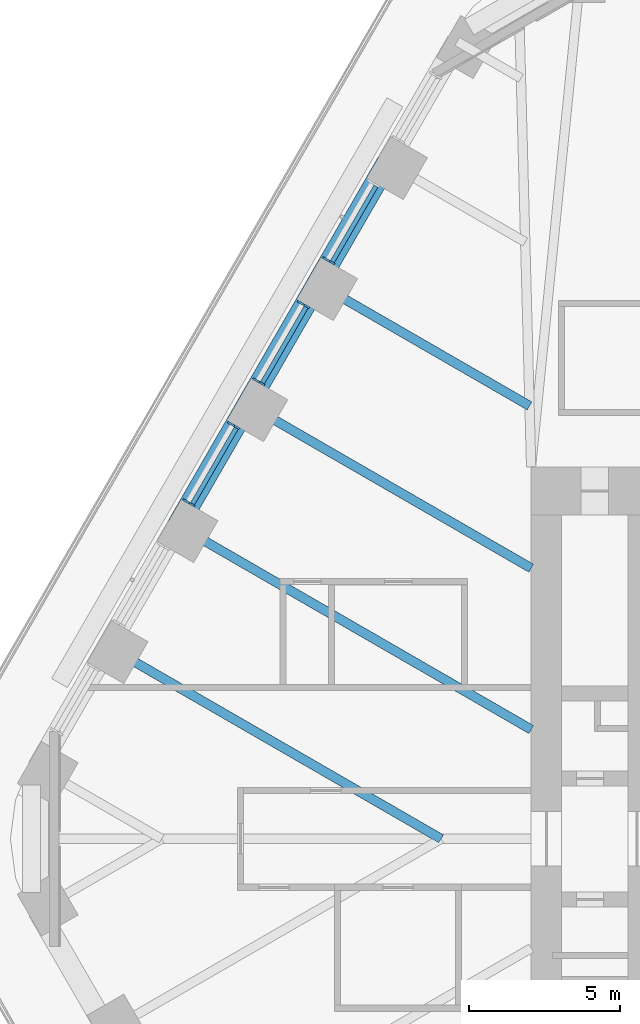
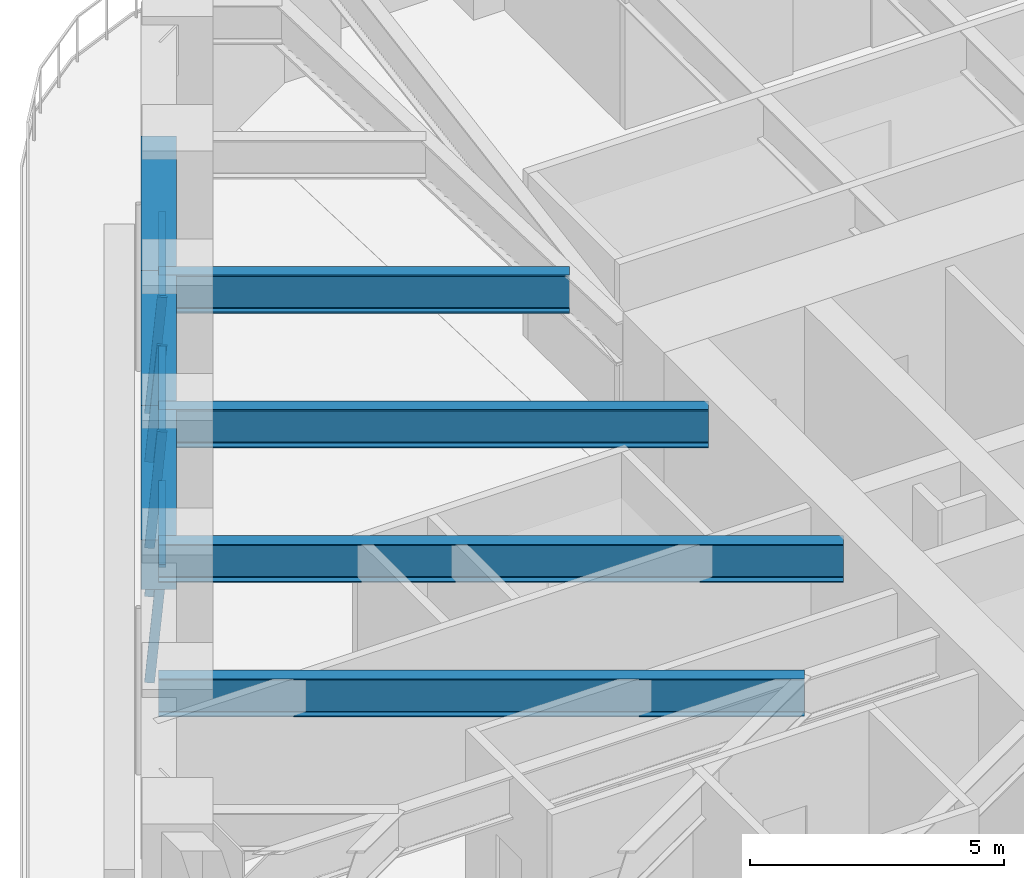
# One storey, part 7 of 20: 8 members, 7 beams, 3 elements without a shape of their own.
"""IFC4 building model written with IfcOpenShell, lengths in metres."""

from ifc_helpers import new_model, si_unit, direction, frame, origin, origin_2d, place, context, subcontext, project, spatial, rectangle, i_section, extrude, material, material_profile, profile_set, type_object, element, aggregate, save


model = new_model("IFC4")

# Units and contexts
model_context = context("Model", 3, precision=1e-05, world=origin(), true_north=direction((0.0, 1.0)))
body_context = subcontext(model_context, "Body", "Model", "MODEL_VIEW")
ifc_project = project(units=[si_unit("LENGTHUNIT", "METRE"), si_unit("AREAUNIT", "SQUARE_METRE"), si_unit("VOLUMEUNIT", "CUBIC_METRE"), si_unit("PLANEANGLEUNIT", "RADIAN"), si_unit("MASSUNIT", "GRAM", prefix="KILO")], contexts=[model_context])

# Site, building, storey
site_placement = place(None, origin())
site = spatial("IfcSite", under=ifc_project, at=site_placement, CompositionType="ELEMENT")
building_placement = place(site_placement, origin())
building = spatial("IfcBuilding", under=site, at=building_placement, Name="Tarfa Lantern Tower", CompositionType="ELEMENT")
storey_placement = place(building_placement, frame((0.0, 0.0, 232.300048828125)))
storey = spatial("IfcBuildingStorey", under=building, at=storey_placement, Name="L52", CompositionType="ELEMENT", Elevation=232.300048828125)

# Curtain wall, member
ifc_material_1 = material(Name="Aluminium framed curtain wall", Category="aluminium")
curtain_wall_type = type_object("IfcCurtainWallType", Name="CW3 CANTED GLAZING HIGH ZONE 2800", PredefinedType="USERDEFINED", material=ifc_material_1)
curtain_wall_1_placement = place(storey_placement, origin())
curtain_wall_1 = element("IfcCurtainWall", 1, at=curtain_wall_1_placement, inside=storey, type_object=curtain_wall_type, Name="CW3 NW L52", ObjectType="CURTAIN WALL", PredefinedType="USERDEFINED")
ifc_material_2 = material(Name="Aluminium mullion", Category="aluminium")
ifc_material_profile_1 = material_profile(ifc_material_2, rectangle(XDim=0.06494140625, YDim=0.199951171875, at=origin_2d()), Name="AL MULLION 65x200")
ifc_profile_set_1 = profile_set([ifc_material_profile_1], Name="Aluminium mullion")
member_type_1 = type_object("IfcMemberType", Name="CWM1 MULLION 65x200", PredefinedType="MULLION", material=ifc_profile_set_1)
member_1_placement = place(storey_placement, frame((-22.302490234375, 19.1708984375, 0.0), z_axis=(0.077032386753, -0.044465143199, 0.996036576854), x_axis=(0.499919672301, 0.866071776036, 0.0)))
member_1 = element("IfcMember", 2, at=member_1_placement, type_object=member_type_1, Name="CW3 mullion 2", PredefinedType="MULLION", context=body_context, shape_type="SweptSolid", body=[
    extrude(rectangle(XDim=0.06494140625, YDim=0.199951171875, at=origin_2d()), origin(), (0.0, 0.0, 1.0), 2.811279296875),
])

# Curtain wall, members
curtain_wall_2_placement = place(storey_placement, origin())
curtain_wall_2 = element("IfcCurtainWall", 3, at=curtain_wall_2_placement, inside=storey, type_object=curtain_wall_type, Name="CW3 NW L52", ObjectType="CURTAIN WALL", PredefinedType="USERDEFINED")
member_2_placement = place(storey_placement, frame((-23.135009765625, 17.72900390625, 0.0), z_axis=(0.077032386753, -0.044465143199, 0.996036576854), x_axis=(0.499919672301, 0.866071776036, 0.0)))
member_2 = element("IfcMember", 4, at=member_2_placement, type_object=member_type_1, Name="CW3 mullion 1", PredefinedType="MULLION", context=body_context, shape_type="SweptSolid", body=[
    extrude(rectangle(XDim=0.06494140625, YDim=0.199951171875, at=origin_2d()), origin(), (0.0, 0.0, 1.0), 2.811279296875),
])
member_3_placement = place(storey_placement, frame((-24.61181640625, 15.1708984375, 0.0), z_axis=(0.077032386753, -0.044465143199, 0.996036576854), x_axis=(0.499919672301, 0.866071776036, 0.0)))
member_3 = element("IfcMember", 5, at=member_3_placement, type_object=member_type_1, Name="CW3 mullion 2", PredefinedType="MULLION", context=body_context, shape_type="SweptSolid", body=[
    extrude(rectangle(XDim=0.06494140625, YDim=0.199951171875, at=origin_2d()), origin(), (0.0, 0.0, 1.0), 2.811279296875),
])

curtain_wall_3_placement = place(storey_placement, origin())
curtain_wall_3 = element("IfcCurtainWall", 6, at=curtain_wall_3_placement, inside=storey, type_object=curtain_wall_type, Name="CW3 NW L52", ObjectType="CURTAIN WALL", PredefinedType="USERDEFINED")
member_4_placement = place(storey_placement, frame((-25.4443359375, 13.72900390625, 0.0), z_axis=(0.077032386753, -0.044465143199, 0.996036576854), x_axis=(0.499919672301, 0.866071776036, 0.0)))
member_4 = element("IfcMember", 7, at=member_4_placement, type_object=member_type_1, Name="CW3 mullion 1", PredefinedType="MULLION", context=body_context, shape_type="SweptSolid", body=[
    extrude(rectangle(XDim=0.06494140625, YDim=0.199951171875, at=origin_2d()), origin(), (0.0, 0.0, 1.0), 2.811279296875),
])
member_5_placement = place(storey_placement, frame((-26.92138671875, 11.1708984375, 0.0), z_axis=(0.077032386753, -0.044465143199, 0.996036576854), x_axis=(0.499919672301, 0.866071776036, 0.0)))
member_5 = element("IfcMember", 8, at=member_5_placement, type_object=member_type_1, Name="CW3 mullion 2", PredefinedType="MULLION", context=body_context, shape_type="SweptSolid", body=[
    extrude(rectangle(XDim=0.06494140625, YDim=0.199951171875, at=origin_2d()), origin(), (0.0, 0.0, 1.0), 2.811279296875),
])

# Member
ifc_material_3 = material(Name="Aluminium transom", Category="aluminium")
ifc_material_profile_2 = material_profile(ifc_material_3, rectangle(XDim=0.14990234375, YDim=0.06494140625, at=origin_2d()), Name="AL TRANSOM 150x65")
ifc_profile_set_2 = profile_set([ifc_material_profile_2], Name="Aluminium transom")
member_type_2 = type_object("IfcMemberType", Name="CWT1 TRANSOM 150x65", PredefinedType="USERDEFINED", material=ifc_profile_set_2)
member_6_placement = place(storey_placement, frame((-20.6279296875, 21.577392578125, 2.767333984375), z_axis=(-0.499993141028, -0.866029363778, 0.0), x_axis=(0.866029363778, -0.499993141028, 0.0)))
member_6 = element("IfcMember", 9, at=member_6_placement, type_object=member_type_2, Name="CW3 transom 1.2", ObjectType="TRANSOM", PredefinedType="USERDEFINED", context=body_context, shape_type="SweptSolid", body=[
    extrude(rectangle(XDim=0.14990234375, YDim=0.06494140625, at=origin_2d()), origin(), (0.0, 0.0, 1.0), 2.888671875),
])

aggregate(curtain_wall_1, [member_1, member_6])

member_7_placement = place(storey_placement, frame((-22.937255859375, 17.577392578125, 2.767333984375), z_axis=(-0.499993141028, -0.866029363778, 0.0), x_axis=(0.866029363778, -0.499993141028, 0.0)))
member_7 = element("IfcMember", 10, at=member_7_placement, type_object=member_type_2, Name="CW3 transom 1.2", ObjectType="TRANSOM", PredefinedType="USERDEFINED", context=body_context, shape_type="SweptSolid", body=[
    extrude(rectangle(XDim=0.14990234375, YDim=0.06494140625, at=origin_2d()), origin(), (0.0, 0.0, 1.0), 2.888671875),
])

aggregate(curtain_wall_2, [member_2, member_3, member_7])

member_8_placement = place(storey_placement, frame((-25.24658203125, 13.577392578125, 2.767333984375), z_axis=(-0.500056524144, -0.865992767095, 0.0), x_axis=(0.865992767095, -0.500056524144, 0.0)))
member_8 = element("IfcMember", 11, at=member_8_placement, type_object=member_type_2, Name="CW3 transom 1.2", ObjectType="TRANSOM", PredefinedType="USERDEFINED", context=body_context, shape_type="SweptSolid", body=[
    extrude(rectangle(XDim=0.14990234375, YDim=0.06494140625, at=origin_2d()), origin(), (0.0, 0.0, 1.0), 2.888916015625),
])

aggregate(curtain_wall_3, [member_4, member_5, member_8])

# Beams
ifc_material_4 = material(Name="Concrete C80/95", Category="concrete")
ifc_material_profile_3 = material_profile(ifc_material_4, rectangle(XDim=0.699951171875, YDim=1.199951171875, at=origin_2d()), Name="RC 700x1200")
ifc_profile_set_3 = profile_set([ifc_material_profile_3], Name="Concrete C80/95")
beam_type_1 = type_object("IfcBeamType", Name="EB3 RC 700x1200", PredefinedType="SPANDREL", material=ifc_profile_set_3)
beam_1_placement = place(storey_placement, frame((-20.25341796875, 22.360107421875, 3.39990234375), z_axis=(-0.499987836815, -0.866032426089, 0.0), x_axis=(0.866032426089, -0.499987836815, 0.0)))
element("IfcBeam", 12, at=beam_1_placement, inside=storey, type_object=beam_type_1, Name="Edge beam NW1", PredefinedType="SPANDREL", context=body_context, shape_type="SweptSolid", body=[
    extrude(rectangle(XDim=0.699951171875, YDim=1.199951171875, at=origin_2d()), origin(), (0.0, 0.0, 1.0), 4.61865234375),
])
beam_2_placement = place(storey_placement, frame((-22.562744140625, 18.360107421875, 3.39990234375), z_axis=(-0.500027479704, -0.866009537788, 0.0), x_axis=(0.866009537788, -0.500027479704, 0.0)))
element("IfcBeam", 13, at=beam_2_placement, inside=storey, type_object=beam_type_1, Name="Edge beam NW2", PredefinedType="SPANDREL", context=body_context, shape_type="SweptSolid", body=[
    extrude(rectangle(XDim=0.699951171875, YDim=1.199951171875, at=origin_2d()), origin(), (0.0, 0.0, 1.0), 4.618896484375),
])
beam_3_placement = place(storey_placement, frame((-24.872314453125, 14.360107421875, 3.39990234375), z_axis=(-0.499987836815, -0.866032426089, 0.0), x_axis=(0.866032426089, -0.499987836815, 0.0)))
element("IfcBeam", 14, at=beam_3_placement, inside=storey, type_object=beam_type_1, Name="Edge beam NW3", PredefinedType="SPANDREL", context=body_context, shape_type="SweptSolid", body=[
    extrude(rectangle(XDim=0.699951171875, YDim=1.199951171875, at=origin_2d()), origin(), (0.0, 0.0, 1.0), 4.61865234375),
])
ifc_material_5 = material(Name="Steel S460M", Category="steel")
ifc_material_profile_4 = material_profile(ifc_material_5, i_section(OverallWidth=0.305419921875, OverallDepth=0.91845703125, WebThickness=0.017333984375, FlangeThickness=0.02783203125, FilletRadius=0.01904296875, at=origin_2d()), Name="UB914x305x253")
ifc_profile_set_4 = profile_set([ifc_material_profile_4], Name="Steel S460M")
beam_type_2 = type_object("IfcBeamType", Name="UB914x305x253", PredefinedType="BEAM", material=ifc_profile_set_4)
beam_4_placement = place(storey_placement, frame((-22.562744140625, 18.360107421875, 3.540771484375), z_axis=(0.866010787764, -0.500025314835, 0.0), x_axis=(0.500025314835, 0.866010787764, 0.0)))
element("IfcBeam", 15, at=beam_4_placement, inside=storey, type_object=beam_type_2, Name="Floor beam NW2", PredefinedType="BEAM", context=body_context, shape_type="SweptSolid", body=[
    extrude(i_section(OverallWidth=0.305419921875, OverallDepth=0.91845703125, WebThickness=0.017333984375, FlangeThickness=0.02783203125, FilletRadius=0.01904296875, at=origin_2d()), origin(), (0.0, 0.0, 1.0), 8.09423828125),
])
beam_5_placement = place(storey_placement, frame((-24.872314453125, 14.360107421875, 3.540771484375), z_axis=(0.8660244219, -0.500001700669, 0.0), x_axis=(0.500001700669, 0.8660244219, 0.0)))
element("IfcBeam", 16, at=beam_5_placement, inside=storey, type_object=beam_type_2, Name="Floor beam NW3", PredefinedType="BEAM", context=body_context, shape_type="SweptSolid", body=[
    extrude(i_section(OverallWidth=0.305419921875, OverallDepth=0.91845703125, WebThickness=0.017333984375, FlangeThickness=0.02783203125, FilletRadius=0.01904296875, at=origin_2d()), origin(), (0.0, 0.0, 1.0), 10.822265625),
])
beam_6_placement = place(storey_placement, frame((-27.181640625, 10.360107421875, 3.540771484375), z_axis=(0.866018002818, -0.500012818631, 0.0), x_axis=(0.500012818631, 0.866018002818, 0.0)))
element("IfcBeam", 17, at=beam_6_placement, inside=storey, type_object=beam_type_2, Name="Floor beam NW4", PredefinedType="BEAM", context=body_context, shape_type="SweptSolid", body=[
    extrude(i_section(OverallWidth=0.305419921875, OverallDepth=0.91845703125, WebThickness=0.017333984375, FlangeThickness=0.02783203125, FilletRadius=0.01904296875, at=origin_2d()), origin(), (0.0, 0.0, 1.0), 13.489013671875),
])
beam_7_placement = place(storey_placement, frame((-29.490966796875, 6.360107421875, 3.540771484375), z_axis=(0.866022258038, -0.500005448553, 0.0), x_axis=(0.500005448553, 0.866022258038, 0.0)))
element("IfcBeam", 18, at=beam_7_placement, inside=storey, type_object=beam_type_2, Name="Floor beam NW5", PredefinedType="BEAM", context=body_context, shape_type="SweptSolid", body=[
    extrude(i_section(OverallWidth=0.305419921875, OverallDepth=0.91845703125, WebThickness=0.017333984375, FlangeThickness=0.02783203125, FilletRadius=0.01904296875, at=origin_2d()), origin(), (0.0, 0.0, 1.0), 12.719970703125),
])

save(model, "model.ifc")
